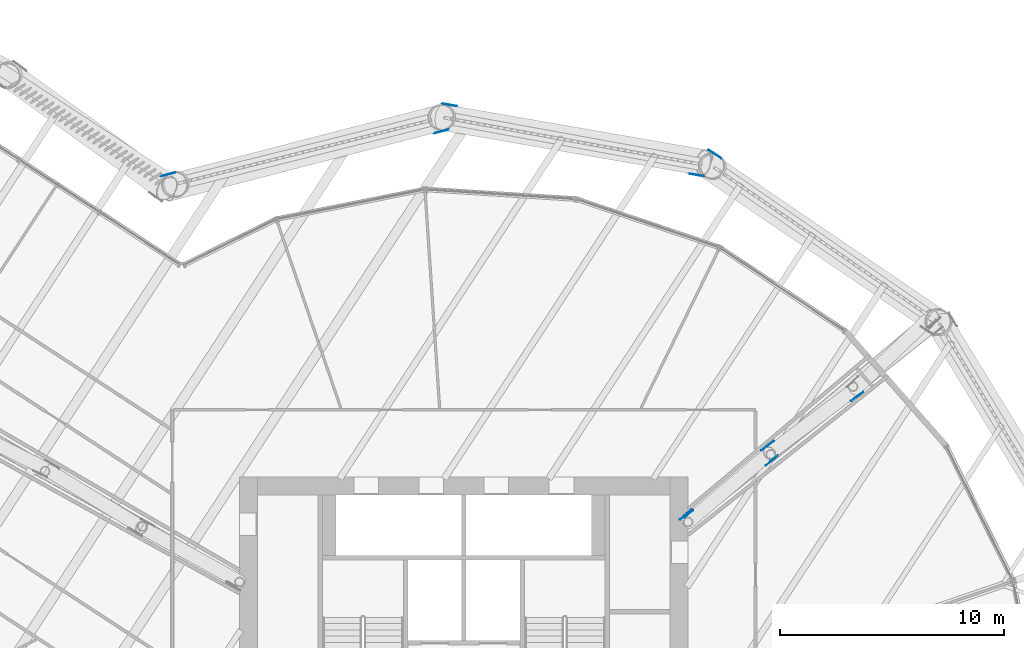
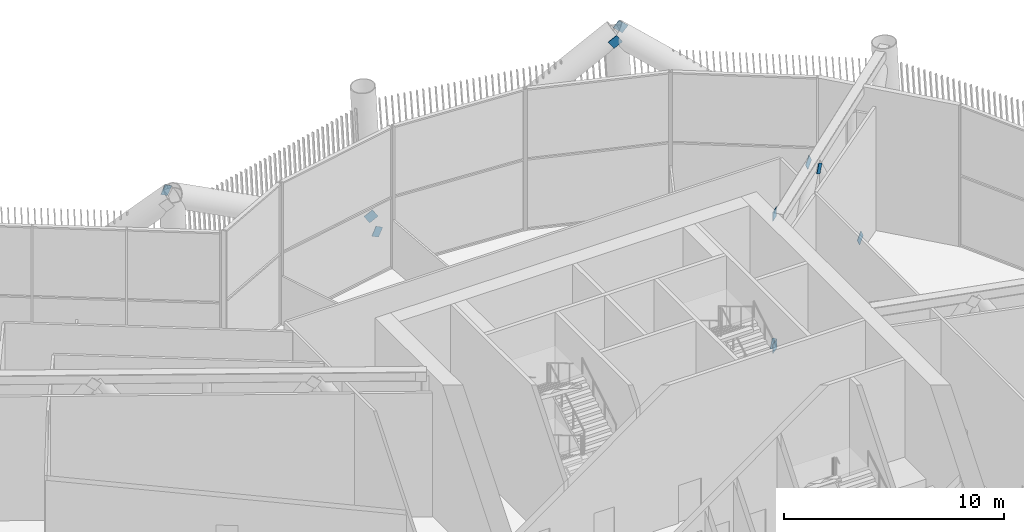
# One storey, part 49 of 63: 11 discrete accessories.
"""IFC4 building model written with IfcOpenShell, lengths in metres."""

from ifc_helpers import new_model, si_unit, direction, frame, origin, origin_2d, place, context, subcontext, project, spatial, rectangle, extrude, material, material_profile, profile_set, type_object, element, save


model = new_model("IFC4")

# Units and contexts
model_context = context("Model", 3, precision=1e-05, world=origin(), true_north=direction((0.0, 1.0)))
body_context = subcontext(model_context, "Body", "Model", "MODEL_VIEW")
ifc_project = project(units=[si_unit("LENGTHUNIT", "METRE"), si_unit("AREAUNIT", "SQUARE_METRE"), si_unit("VOLUMEUNIT", "CUBIC_METRE"), si_unit("PLANEANGLEUNIT", "RADIAN"), si_unit("MASSUNIT", "GRAM", prefix="KILO")], contexts=[model_context])

# Site, building, storey
site_placement = place(None, origin())
site = spatial("IfcSite", under=ifc_project, at=site_placement, CompositionType="ELEMENT")
building_placement = place(site_placement, origin())
building = spatial("IfcBuilding", under=site, at=building_placement, Name="Tarsis Ring Headquarters", CompositionType="ELEMENT")
storey_placement = place(building_placement, frame((0.0, 0.0, 139.60009765625)))
storey = spatial("IfcBuildingStorey", under=building, at=storey_placement, Name="L32", CompositionType="ELEMENT", Elevation=139.60009765625)

# Discrete accessories
ifc_material = material(Name="Structural steel S355", Category="steel")
ifc_material_profile = material_profile(ifc_material, rectangle(XDim=0.02490234375, YDim=0.5, at=origin_2d()), Name="PL 25x500")
ifc_profile_set = profile_set([ifc_material_profile], Name="Structural steel S355")
discrete_accessory_type_1 = type_object("IfcDiscreteAccessoryType", Name="Gusset plate Belt truss 25", PredefinedType="BRACKET", material=ifc_profile_set)
for number, where, z_axis, x_axis, name in (
    (1, (11.01708984375, 27.5068359375, 8.0), (0.699679924062, -0.475567512936, -0.533182468302), (0.562136361236, 0.827044564323, 0.0), "Gusset plate GP4"),
    (2, (-0.844482421875, 29.62109375, 0.0), (0.815480434183, -0.142098686436, 0.561070071183), (0.171664806082, 0.985155416345, 0.0), "Gusset plate GP4"),
    (3, (10.57958984375, 26.42529296875, 8.0), (-0.815480434183, 0.142098686436, -0.561070071183), (-0.171664806082, -0.985155416345, 0.0), "Gusset plate GP4"),
    (4, (-0.79736328125, 28.455322265625, 0.0), (-0.81904510365, -0.211476762004, 0.5333316954), (0.250000250015, -0.968245771998, 0.0), "Gusset plate GP4"),
    (5, (-13.38671875, 26.434814453125, 8.0), (0.819205771143, 0.211392192434, -0.533118416024), (-0.249860566883, 0.968281827319, 0.0), "Gusset plate GP4"),
):
    element("IfcDiscreteAccessory", number, at=place(storey_placement, frame(where, z_axis=z_axis, x_axis=x_axis)), inside=storey, type_object=discrete_accessory_type_1, Name=name, PredefinedType="BRACKET", context=body_context, shape_type="SweptSolid", body=[
        extrude(rectangle(XDim=0.02490234375, YDim=0.5, at=origin_2d()), origin(), (0.0, 0.0, 1.0), 0.5),
    ])
discrete_accessory_type_2 = type_object("IfcDiscreteAccessoryType", Name="Gusset plate Outrigger 25", PredefinedType="BRACKET", material=ifc_profile_set)
for number, where, z_axis, x_axis, name in (
    (6, (9.795166015625, 11.236572265625, 0.25390625), (0.415437269392, 0.350998115973, 0.839173520664), (-0.645378740428, 0.763862737279, 0.0), "Gusset plate GP1"),
    (7, (13.83251953125, 13.81787109375, 7.5859375), (-0.415437269392, -0.350998115973, -0.839173520664), (0.645378740428, -0.763862737279, 0.0), "Gusset plate GP1"),
    (8, (13.437255859375, 14.31396484375, 7.5859375), (0.436602139704, 0.327207420136, -0.838041690976), (-0.599713531199, 0.800214771481, 0.0), "Gusset plate GP1"),
    (9, (17.637939453125, 16.670166015625, 0.25390625), (-0.436602139704, -0.327207420136, 0.838041690976), (0.599713531199, -0.800214771481, 0.0), "Gusset plate GP1"),
):
    element("IfcDiscreteAccessory", number, at=place(storey_placement, frame(where, z_axis=z_axis, x_axis=x_axis)), inside=storey, type_object=discrete_accessory_type_2, Name=name, PredefinedType="BRACKET", context=body_context, shape_type="SweptSolid", body=[
        extrude(rectangle(XDim=0.02490234375, YDim=0.5, at=origin_2d()), origin(), (0.0, 0.0, 1.0), 0.5),
    ])
discrete_accessory_type_3 = type_object("IfcDiscreteAccessoryType", Name="Gusset plate Outrigger chord 25", PredefinedType="BRACKET", material=ifc_profile_set)
discrete_accessory_1_placement = place(storey_placement, frame((9.833984375, 11.20263671875, 0.25390625), z_axis=(0.782200827136, 0.62302637667, 0.0), x_axis=(-0.62302637667, 0.782200827136, 0.0)))
element("IfcDiscreteAccessory", 10, at=discrete_accessory_1_placement, inside=storey, type_object=discrete_accessory_type_3, Name="Gusset plate GP3", PredefinedType="BRACKET", context=body_context, shape_type="SweptSolid", body=[
    extrude(rectangle(XDim=0.02490234375, YDim=0.5, at=origin_2d()), origin(), (0.0, 0.0, 1.0), 0.5),
])
discrete_accessory_2_placement = place(storey_placement, frame((9.827880859375, 11.19775390625, 7.5859375), z_axis=(0.763922964284, 0.645307449701, 0.0), x_axis=(-0.645307449701, 0.763922964284, 0.0)))
element("IfcDiscreteAccessory", 11, at=discrete_accessory_2_placement, inside=storey, type_object=discrete_accessory_type_3, Name="Gusset plate GP3", PredefinedType="BRACKET", context=body_context, shape_type="SweptSolid", body=[
    extrude(rectangle(XDim=0.02490234375, YDim=0.5, at=origin_2d()), origin(), (0.0, 0.0, 1.0), 0.500244140625),
])

save(model, "model.ifc")
